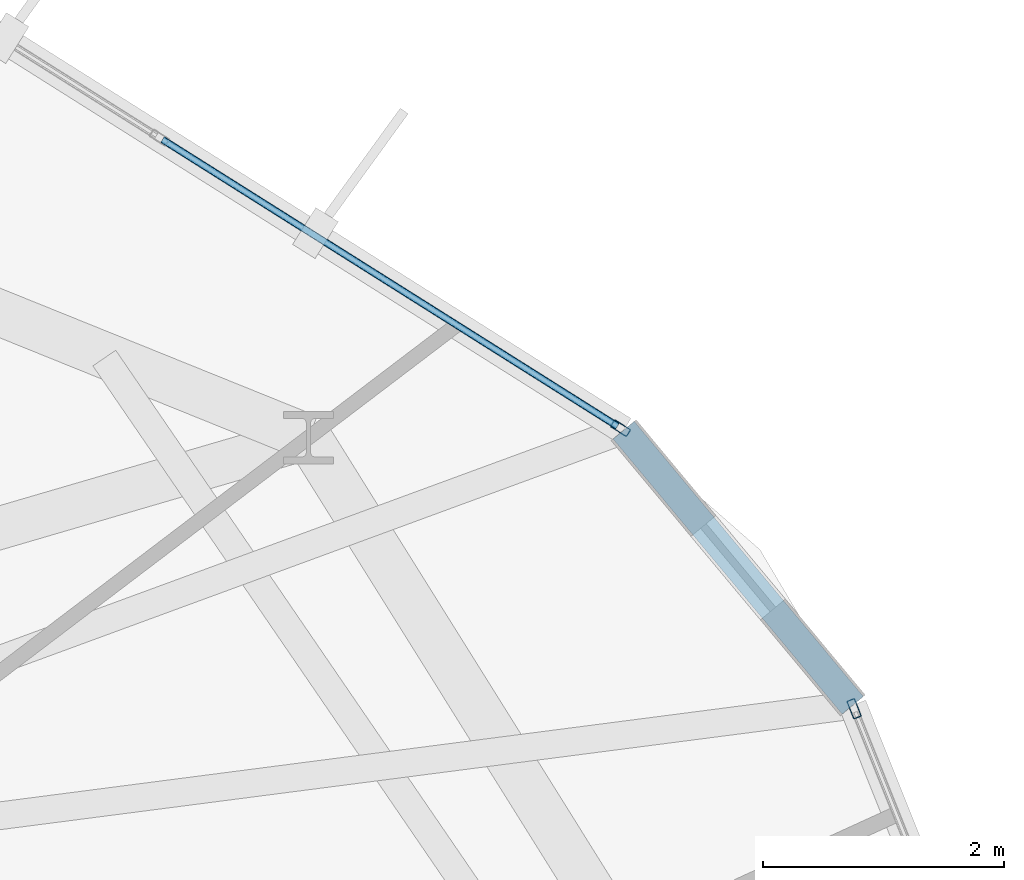
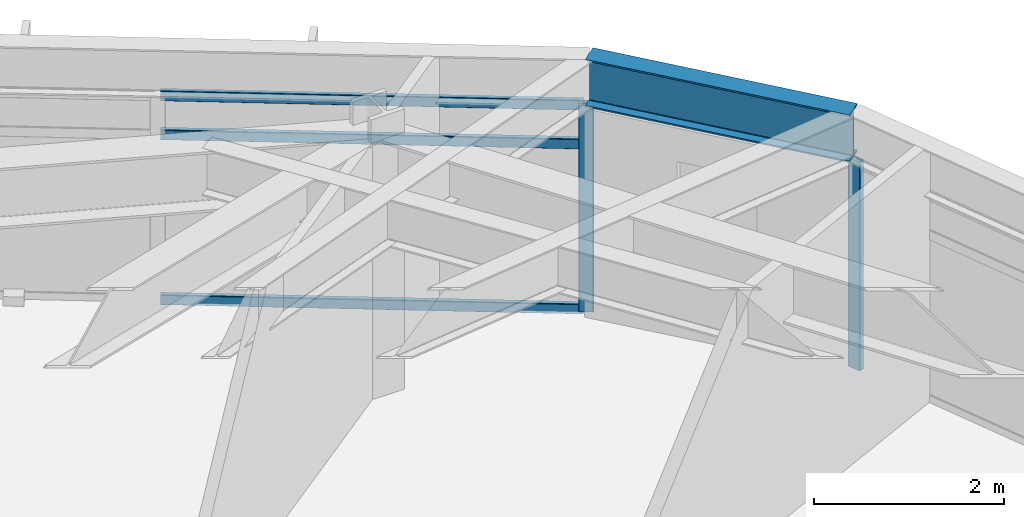
# One storey, part 17 of 24: 5 members, 1 beam, 2 elements without a shape of their own.
"""IFC4 building model written with IfcOpenShell, lengths in metres."""

from ifc_helpers import new_model, si_unit, direction, frame, origin, origin_2d, place, context, subcontext, project, spatial, hollow_rectangle, i_section, extrude, material, layer, layer_set, material_profile, profile_set, type_object, element, aggregate, save


model = new_model("IFC4")

# Units and contexts
model_context = context("Model", 3, precision=1e-05, world=origin(), true_north=direction((0.0, 1.0)))
body_context = subcontext(model_context, "Body", "Model", "MODEL_VIEW")
ifc_project = project(units=[si_unit("LENGTHUNIT", "METRE"), si_unit("AREAUNIT", "SQUARE_METRE"), si_unit("VOLUMEUNIT", "CUBIC_METRE"), si_unit("PLANEANGLEUNIT", "RADIAN"), si_unit("MASSUNIT", "GRAM", prefix="KILO")], contexts=[model_context])

# Site, building, storey
site_placement = place(None, origin())
site = spatial("IfcSite", under=ifc_project, at=site_placement, CompositionType="ELEMENT")
building_placement = place(site_placement, origin())
building = spatial("IfcBuilding", under=site, at=building_placement, Name="Soratama Intermodal Tower", CompositionType="ELEMENT")
storey_placement = place(building_placement, frame((0.0, 0.0, 178.60009765625)))
storey = spatial("IfcBuildingStorey", under=building, at=storey_placement, Name="L44", CompositionType="ELEMENT", Elevation=178.60009765625)

# Beam
ifc_material_1 = material(Name="Structural steel ASTM A992 Grade 50", Category="steel")
ifc_material_profile_1 = material_profile(ifc_material_1, i_section(OverallWidth=0.22900390625, OverallDepth=0.612060546875, WebThickness=0.011962890625, FlangeThickness=0.01953125, FilletRadius=0.012939453125, at=origin_2d()), Name="W24X84")
ifc_profile_set_1 = profile_set([ifc_material_profile_1], Name="Structural steel ASTM A992 Grade 50")
beam_type = type_object("IfcBeamType", Name="BM-SPN-W24X84", PredefinedType="SPANDREL", material=ifc_profile_set_1)
beam_placement = place(storey_placement, frame((60.757080078125, 36.18896484375, 2.993896484375), z_axis=(-0.639981968935, 0.768389926689, 0.0), x_axis=(-0.768389926689, -0.639981968935, 0.0)))
element("IfcBeam", 1, at=beam_placement, inside=storey, type_object=beam_type, Name="BS-L44-CRN10", PredefinedType="SPANDREL", context=body_context, shape_type="SweptSolid", body=[
    extrude(i_section(OverallWidth=0.22900390625, OverallDepth=0.612060546875, WebThickness=0.011962890625, FlangeThickness=0.01953125, FilletRadius=0.012939453125, at=origin_2d()), origin(), (0.0, 0.0, 1.0), 2.966064453125),
])

# Curtain wall, member
ifc_material_2 = material(Name="Double-glazed aluminium curtain wall", Category="aluminium")
ifc_layer = layer(ifc_material_2, 0.159912109375)
ifc_layer_set = layer_set([ifc_layer], Name="Double-glazed aluminium curtain wall")
curtain_wall_type = type_object("IfcCurtainWallType", Name="CW-SYS-4", PredefinedType="NOTDEFINED", material=ifc_layer_set)
curtain_wall_1_placement = place(storey_placement, origin())
curtain_wall_1 = element("IfcCurtainWall", 2, at=curtain_wall_1_placement, inside=storey, type_object=curtain_wall_type, Name="L44 Faceted Curtain Wall F01", PredefinedType="NOTDEFINED")
ifc_material_3 = material(Name="Anodised aluminium AA 6063-T6", Category="aluminium")
ifc_material_profile_2 = material_profile(ifc_material_3, hollow_rectangle(XDim=0.070068359375, YDim=0.159912109375, WallThickness=0.0048828125, InnerFilletRadius=0.0048828125, OuterFilletRadius=0.010009765625, at=origin_2d()), Name="CWM160X70X5")
ifc_profile_set_2 = profile_set([ifc_material_profile_2], Name="Anodised aluminium AA 6063-T6")
member_type_1 = type_object("IfcMemberType", Name="MT-CWM-4", PredefinedType="MULLION", material=ifc_profile_set_2)
member_1_placement = place(storey_placement, frame((58.833251953125, 38.484375, 0.0), z_axis=(0.0, 0.0, 1.0), x_axis=(-0.53316755759, -0.846009666336, 0.0)))
member_1 = element("IfcMember", 3, at=member_1_placement, type_object=member_type_1, Name="CW-4 mullion 1", PredefinedType="MULLION", context=body_context, shape_type="SweptSolid", body=[
    extrude(hollow_rectangle(XDim=0.070068359375, YDim=0.159912109375, WallThickness=0.0048828125, InnerFilletRadius=0.0048828125, OuterFilletRadius=0.010009765625, at=origin_2d()), origin(), (0.0, 0.0, 1.0), 2.678955078125),
])

curtain_wall_2_placement = place(storey_placement, origin())
curtain_wall_2 = element("IfcCurtainWall", 4, at=curtain_wall_2_placement, inside=storey, type_object=curtain_wall_type, Name="L44 Faceted Curtain Wall F10", PredefinedType="NOTDEFINED")
member_2_placement = place(storey_placement, frame((60.767822265625, 36.16064453125, 0.0), z_axis=(0.0, 0.0, 1.0), x_axis=(-0.928617788795, -0.371037737075, 0.0)))
member_2 = element("IfcMember", 5, at=member_2_placement, type_object=member_type_1, Name="CW-4 mullion 3", PredefinedType="MULLION", context=body_context, shape_type="SweptSolid", body=[
    extrude(hollow_rectangle(XDim=0.070068359375, YDim=0.159912109375, WallThickness=0.0048828125, InnerFilletRadius=0.0048828125, OuterFilletRadius=0.010009765625, at=origin_2d()), origin(), (0.0, 0.0, 1.0), 2.678955078125),
])
aggregate(curtain_wall_2, [member_2])

# Member
ifc_material_4 = material(Name="Anodised aluminium AA 6063-T6", Category="aluminium")
ifc_material_profile_3 = material_profile(ifc_material_4, hollow_rectangle(XDim=0.06005859375, YDim=0.1298828125, WallThickness=0.0048828125, InnerFilletRadius=0.0048828125, OuterFilletRadius=0.010009765625, at=origin_2d()), Name="CWT130X60X5")
ifc_profile_set_3 = profile_set([ifc_material_profile_3], Name="Anodised aluminium AA 6063-T6")
member_type_2 = type_object("IfcMemberType", Name="TT-CWT-2", PredefinedType="USERDEFINED", material=ifc_profile_set_3)
member_3_placement = place(storey_placement, frame((58.807861328125, 38.50048828125, 0.02978515625), z_axis=(-0.846036874128, 0.533124382874, 0.0), x_axis=(-0.533124382874, -0.846036874128, 0.0)))
member_3 = element("IfcMember", 6, at=member_3_placement, type_object=member_type_2, Name="CW-4 transom 1.1", ObjectType="TRANSOM", PredefinedType="USERDEFINED", context=body_context, shape_type="SweptSolid", body=[
    extrude(hollow_rectangle(XDim=0.06005859375, YDim=0.1298828125, WallThickness=0.0048828125, InnerFilletRadius=0.0048828125, OuterFilletRadius=0.010009765625, at=origin_2d()), origin(), (0.0, 0.0, 1.0), 4.45361328125),
])

member_4_placement = place(storey_placement, frame((58.807861328125, 38.50048828125, 2.14990234375), z_axis=(-0.846036874128, 0.533124382874, 0.0), x_axis=(-0.533124382874, -0.846036874128, 0.0)))
member_4 = element("IfcMember", 7, at=member_4_placement, type_object=member_type_2, Name="CW-4 transom 1.2", ObjectType="TRANSOM", PredefinedType="USERDEFINED", context=body_context, shape_type="SweptSolid", body=[
    extrude(hollow_rectangle(XDim=0.06005859375, YDim=0.1298828125, WallThickness=0.0048828125, InnerFilletRadius=0.0048828125, OuterFilletRadius=0.010009765625, at=origin_2d()), origin(), (0.0, 0.0, 1.0), 4.45361328125),
])

member_5_placement = place(storey_placement, frame((58.807861328125, 38.50048828125, 2.64892578125), z_axis=(-0.846036874128, 0.533124382874, 0.0), x_axis=(-0.533124382874, -0.846036874128, 0.0)))
member_5 = element("IfcMember", 8, at=member_5_placement, type_object=member_type_2, Name="CW-4 transom 1.3", ObjectType="TRANSOM", PredefinedType="USERDEFINED", context=body_context, shape_type="SweptSolid", body=[
    extrude(hollow_rectangle(XDim=0.06005859375, YDim=0.1298828125, WallThickness=0.0048828125, InnerFilletRadius=0.0048828125, OuterFilletRadius=0.010009765625, at=origin_2d()), origin(), (0.0, 0.0, 1.0), 4.45361328125),
])

aggregate(curtain_wall_1, [member_1, member_3, member_4, member_5])

save(model, "model.ifc")
